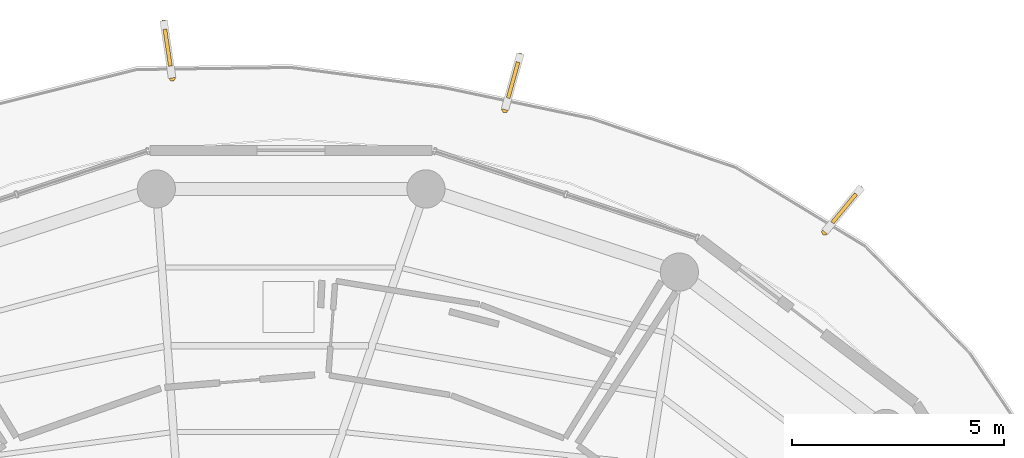
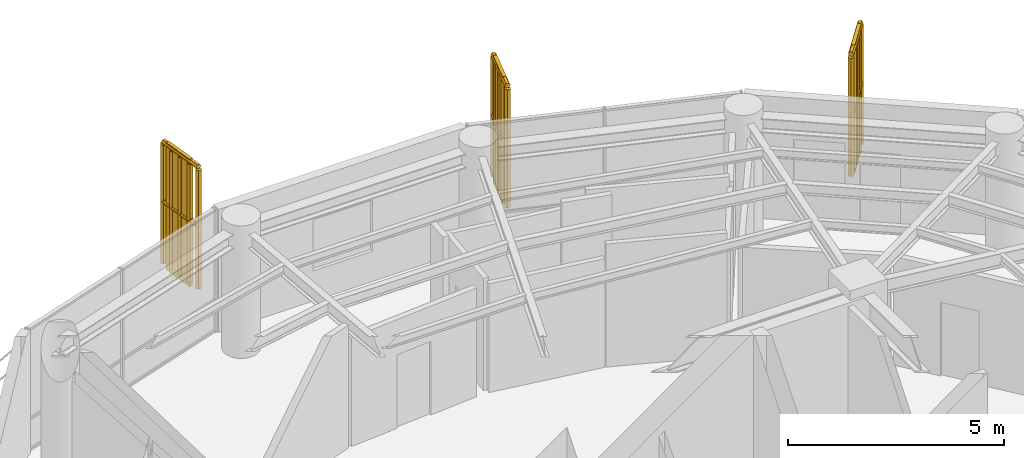
# One storey, part 22 of 22: 3 railings, 3 shading devices.
"""IFC4 building model written with IfcOpenShell, lengths in metres."""

from ifc_helpers import new_model, si_unit, direction, frame, origin, origin_2d, place, context, subcontext, project, spatial, polyline, rectangle, outline, extrude, source, transform, mapped, material, type_object, element, save


model = new_model("IFC4")

# Units and contexts
model_context = context("Model", 3, precision=1e-05, world=origin(), true_north=direction((0.0, 1.0)))
body_context = subcontext(model_context, "Body", "Model", "MODEL_VIEW")
ifc_project = project(units=[si_unit("LENGTHUNIT", "METRE"), si_unit("AREAUNIT", "SQUARE_METRE"), si_unit("VOLUMEUNIT", "CUBIC_METRE"), si_unit("PLANEANGLEUNIT", "RADIAN"), si_unit("MASSUNIT", "GRAM", prefix="KILO")], contexts=[model_context])

# Site, building, storey
site_placement = place(None, origin())
site = spatial("IfcSite", under=ifc_project, at=site_placement, CompositionType="ELEMENT")
building_placement = place(site_placement, origin())
building = spatial("IfcBuilding", under=site, at=building_placement, Name="Kelanora Arch Commons", CompositionType="ELEMENT")
storey_placement = place(building_placement, frame((0.0, 0.0, 271.199951171875)))
storey = spatial("IfcBuildingStorey", under=building, at=storey_placement, Name="L69", CompositionType="ELEMENT", Elevation=271.199951171875)

# Railings
ifc_material_1 = material(Name="Anodised bronze vertical shading fin rib assembly")
railing_type = type_object("IfcRailingType", Name="RAIL-FIN-BRZ", PredefinedType="BALUSTRADE", material=ifc_material_1)
railing_1_placement = place(storey_placement, frame((86.56298828125, 73.21728515625, -0.02001953125)))
element("IfcRailing", 1, at=railing_1_placement, inside=storey, type_object=railing_type, Name="Sweeping Bronze Vertical Fin Blade L69-03", PredefinedType="BALUSTRADE", context=body_context, shape_type="SweptSolid", body=[
    extrude(outline(polyline([(0.06982421875, 0.0), (0.034912109375, 0.060546875), (-0.034912109375, 0.060546875), (-0.06982421875, 0.0), (-0.034912109375, -0.060546875), (0.034912109375, -0.060546875), (0.06982421875, 0.0)])), frame((0.0, 0.0, 3.419921875), z_axis=(0.6366445148, 0.771157416987, 0.0), x_axis=(-0.771157416987, 0.6366445148, 0.0)), (0.0, 0.0, 1.0), 1.304931640625),
    extrude(outline(polyline([(0.06982421875, 0.0), (0.034912109375, 0.060546875), (-0.034912109375, 0.060546875), (-0.06982421875, 0.0), (-0.034912109375, -0.060546875), (0.034912109375, -0.060546875), (0.06982421875, 0.0)])), frame((0.0, 0.0, 1.7451171875), z_axis=(0.6366445148, 0.771157416987, 0.0), x_axis=(-0.771157416987, 0.6366445148, 0.0)), (0.0, 0.0, 1.0), 1.304931640625),
    extrude(outline(polyline([(0.080078125, 0.0), (0.0400390625, 0.0693359375), (-0.0400390625, 0.0693359375), (-0.080078125, 0.0), (-0.0400390625, -0.0693359375), (0.0400390625, -0.0693359375), (0.080078125, 0.0)])), origin(), (0.0, 0.0, 1.0), 3.35009765625),
    extrude(outline(polyline([(0.080078125, 0.0), (0.0400390625, 0.0693359375), (-0.0400390625, 0.0693359375), (-0.080078125, 0.0), (-0.0400390625, -0.0693359375), (0.0400390625, -0.0693359375), (0.080078125, 0.0)])), frame((0.207763671875, 0.25146484375, 0.0)), (0.0, 0.0, 1.0), 3.35009765625),
    extrude(outline(polyline([(0.080078125, 0.0), (0.0400390625, 0.0693359375), (-0.0400390625, 0.0693359375), (-0.080078125, 0.0), (-0.0400390625, -0.0693359375), (0.0400390625, -0.0693359375), (0.080078125, 0.0)])), frame((0.41552734375, 0.503173828125, 0.0)), (0.0, 0.0, 1.0), 3.35009765625),
    extrude(outline(polyline([(0.080078125, 0.0), (0.0400390625, 0.0693359375), (-0.0400390625, 0.0693359375), (-0.080078125, 0.0), (-0.0400390625, -0.0693359375), (0.0400390625, -0.0693359375), (0.080078125, 0.0)])), frame((0.623046875, 0.7548828125, 0.0)), (0.0, 0.0, 1.0), 3.35009765625),
    extrude(outline(polyline([(0.080078125, 0.0), (0.0400390625, 0.0693359375), (-0.0400390625, 0.0693359375), (-0.080078125, 0.0), (-0.0400390625, -0.0693359375), (0.0400390625, -0.0693359375), (0.080078125, 0.0)])), frame((0.830810546875, 1.00634765625, 0.0)), (0.0, 0.0, 1.0), 3.35009765625),
])
railing_2_placement = place(storey_placement, frame((79.033447265625, 76.0986328125, -0.02001953125)))
element("IfcRailing", 2, at=railing_2_placement, inside=storey, type_object=railing_type, Name="Sweeping Bronze Vertical Fin Blade L69-04", PredefinedType="BALUSTRADE", context=body_context, shape_type="SweptSolid", body=[
    extrude(outline(polyline([(0.06982421875, 0.0), (0.034912109375, 0.060546875), (-0.034912109375, 0.060546875), (-0.06982421875, 0.0), (-0.034912109375, -0.060546875), (0.034912109375, -0.060546875), (0.06982421875, 0.0)])), frame((0.0, 0.0, 3.419921875), z_axis=(0.26806835875, 0.963399893625, 0.0), x_axis=(-0.963399893625, 0.26806835875, 0.0)), (0.0, 0.0, 1.0), 1.30517578125),
    extrude(outline(polyline([(0.06982421875, 0.0), (0.034912109375, 0.060546875), (-0.034912109375, 0.060546875), (-0.06982421875, 0.0), (-0.034912109375, -0.060546875), (0.034912109375, -0.060546875), (0.06982421875, 0.0)])), frame((0.0, 0.0, 1.7451171875), z_axis=(0.26806835875, 0.963399893625, 0.0), x_axis=(-0.963399893625, 0.26806835875, 0.0)), (0.0, 0.0, 1.0), 1.30517578125),
    extrude(outline(polyline([(0.080078125, 0.0), (0.0400390625, 0.0693359375), (-0.0400390625, 0.0693359375), (-0.080078125, 0.0), (-0.0400390625, -0.0693359375), (0.0400390625, -0.0693359375), (0.080078125, 0.0)])), origin(), (0.0, 0.0, 1.0), 3.35009765625),
    extrude(outline(polyline([(0.080078125, 0.0), (0.0400390625, 0.0693359375), (-0.0400390625, 0.0693359375), (-0.080078125, 0.0), (-0.0400390625, -0.0693359375), (0.0400390625, -0.0693359375), (0.080078125, 0.0)])), frame((0.08740234375, 0.314453125, 0.0)), (0.0, 0.0, 1.0), 3.35009765625),
    extrude(outline(polyline([(0.080078125, 0.0), (0.0400390625, 0.0693359375), (-0.0400390625, 0.0693359375), (-0.080078125, 0.0), (-0.0400390625, -0.0693359375), (0.0400390625, -0.0693359375), (0.080078125, 0.0)])), frame((0.1748046875, 0.628662109375, 0.0)), (0.0, 0.0, 1.0), 3.35009765625),
    extrude(outline(polyline([(0.080078125, 0.0), (0.0400390625, 0.0693359375), (-0.0400390625, 0.0693359375), (-0.080078125, 0.0), (-0.0400390625, -0.0693359375), (0.0400390625, -0.0693359375), (0.080078125, 0.0)])), frame((0.262451171875, 0.94287109375, 0.0)), (0.0, 0.0, 1.0), 3.35009765625),
    extrude(outline(polyline([(0.080078125, 0.0), (0.0400390625, 0.0693359375), (-0.0400390625, 0.0693359375), (-0.080078125, 0.0), (-0.0400390625, -0.0693359375), (0.0400390625, -0.0693359375), (0.080078125, 0.0)])), frame((0.349853515625, 1.25732421875, 0.0)), (0.0, 0.0, 1.0), 3.35009765625),
])
railing_3_placement = place(storey_placement, frame((71.197998046875, 76.843994140625, -0.02001953125)))
element("IfcRailing", 3, at=railing_3_placement, inside=storey, type_object=railing_type, Name="Sweeping Bronze Vertical Fin Blade L69-05", PredefinedType="BALUSTRADE", context=body_context, shape_type="SweptSolid", body=[
    extrude(outline(polyline([(0.06982421875, 0.0), (0.034912109375, 0.060546875), (-0.034912109375, 0.060546875), (-0.06982421875, 0.0), (-0.034912109375, -0.060546875), (0.034912109375, -0.060546875), (0.06982421875, 0.0)])), frame((0.0, 0.0, 3.419921875), z_axis=(-0.147233420903, 0.989101774222, 0.0), x_axis=(-0.989101774222, -0.147233420903, 0.0)), (0.0, 0.0, 1.0), 1.304931640625),
    extrude(outline(polyline([(0.06982421875, 0.0), (0.034912109375, 0.060546875), (-0.034912109375, 0.060546875), (-0.06982421875, 0.0), (-0.034912109375, -0.060546875), (0.034912109375, -0.060546875), (0.06982421875, 0.0)])), frame((0.0, 0.0, 1.7451171875), z_axis=(-0.147233420903, 0.989101774222, 0.0), x_axis=(-0.989101774222, -0.147233420903, 0.0)), (0.0, 0.0, 1.0), 1.304931640625),
    extrude(outline(polyline([(0.080078125, 0.0), (0.0400390625, 0.0693359375), (-0.0400390625, 0.0693359375), (-0.080078125, 0.0), (-0.0400390625, -0.0693359375), (0.0400390625, -0.0693359375), (0.080078125, 0.0)])), origin(), (0.0, 0.0, 1.0), 3.35009765625),
    extrude(outline(polyline([(0.080078125, 0.0), (0.0400390625, 0.0693359375), (-0.0400390625, 0.0693359375), (-0.080078125, 0.0), (-0.0400390625, -0.0693359375), (0.0400390625, -0.0693359375), (0.080078125, 0.0)])), frame((-0.048095703125, 0.32275390625, 0.0)), (0.0, 0.0, 1.0), 3.35009765625),
    extrude(outline(polyline([(0.080078125, 0.0), (0.0400390625, 0.0693359375), (-0.0400390625, 0.0693359375), (-0.080078125, 0.0), (-0.0400390625, -0.0693359375), (0.0400390625, -0.0693359375), (0.080078125, 0.0)])), frame((-0.09619140625, 0.6455078125, 0.0)), (0.0, 0.0, 1.0), 3.35009765625),
    extrude(outline(polyline([(0.080078125, 0.0), (0.0400390625, 0.0693359375), (-0.0400390625, 0.0693359375), (-0.080078125, 0.0), (-0.0400390625, -0.0693359375), (0.0400390625, -0.0693359375), (0.080078125, 0.0)])), frame((-0.14404296875, 0.968017578125, 0.0)), (0.0, 0.0, 1.0), 3.35009765625),
    extrude(outline(polyline([(0.080078125, 0.0), (0.0400390625, 0.0693359375), (-0.0400390625, 0.0693359375), (-0.080078125, 0.0), (-0.0400390625, -0.0693359375), (0.0400390625, -0.0693359375), (0.080078125, 0.0)])), frame((-0.192138671875, 1.290771484375, 0.0)), (0.0, 0.0, 1.0), 3.35009765625),
])

# Shading devices
ifc_material_2 = material(Name="Terracotta ceramic-clad extruded aluminium fin", Category="masonry")
shading_device_type = type_object("IfcShadingDeviceType", Name="SHD-FIN-FLARE", PredefinedType="USERDEFINED", material=ifc_material_2)
shared_shape = source(origin(), body_context, "Body", "SweptSolid", [
    extrude(rectangle(XDim=0.8798828125, YDim=0.090087890625, at=origin_2d()), origin(), (0.0, 0.0, 1.0), 3.610107421875),
])
for number, where, z_axis, x_axis, name in (
    (4, (87.021240234375, 73.7724609375, -0.14013671875), (0.0, 0.0, 1.0), (0.636616760808, 0.771180329014, 0.0), "Sweeping Terracotta Fin L69-03"),
    (5, (79.226318359375, 76.79248046875, -0.14013671875), (0.0, 0.0, 1.0), (0.267911051866, 0.963443650811, 0.0), "Sweeping Terracotta Fin L69-04"),
    (6, (71.092041015625, 77.55615234375, -0.14013671875), (0.0, 0.0, 1.0), (-0.147118911839, 0.989118812772, 0.0), "Sweeping Terracotta Fin L69-05"),
):
    element("IfcShadingDevice", number, at=place(storey_placement, frame(where, z_axis=z_axis, x_axis=x_axis)), inside=storey, type_object=shading_device_type, Name=name, ObjectType="FIN", PredefinedType="USERDEFINED", context=body_context, shape_type="MappedRepresentation", body=[
        mapped(shared_shape, transform((0.0, 0.0, 0.0), scale=1.0)),
    ])

save(model, "model.ifc")
